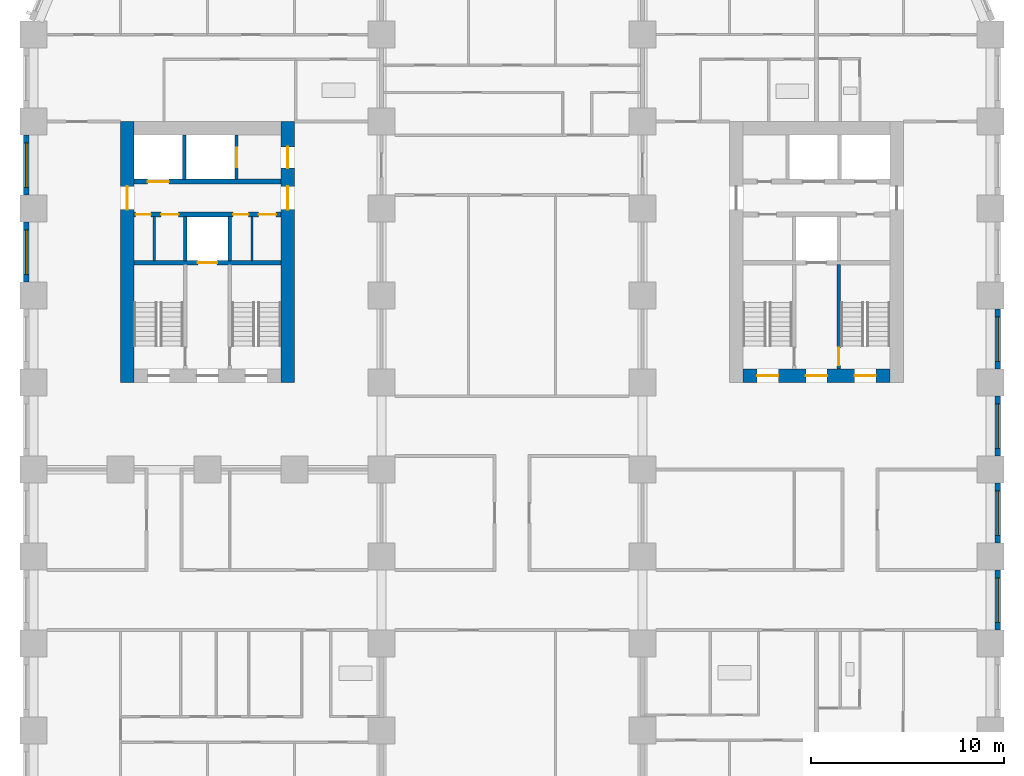
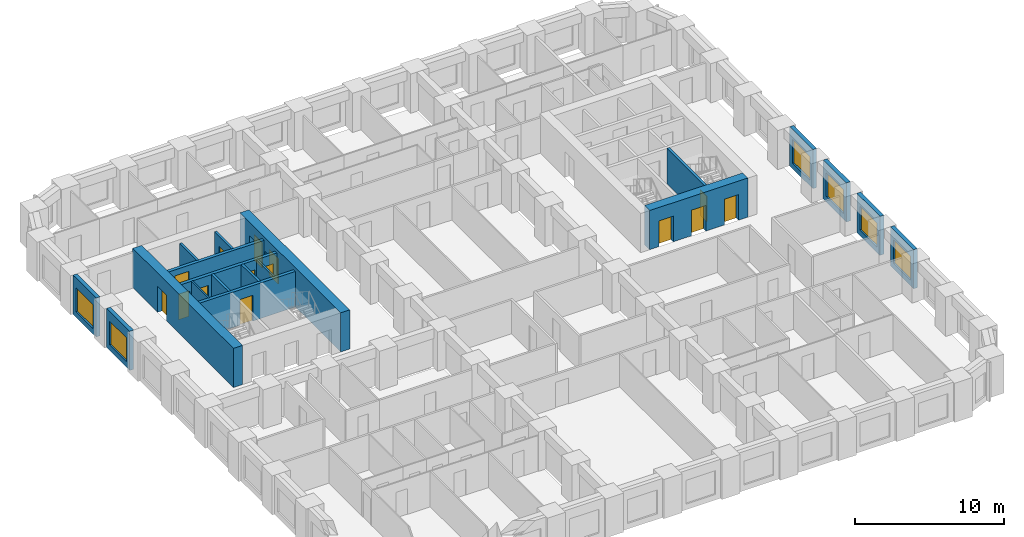
# One storey, part 6 of 13: 19 walls, 14 doors, 6 windows, 20 openings.
"""IFC4 building model written with IfcOpenShell, lengths in metres."""

import ifcopenshell
import ifcopenshell.guid

model = None  # the IFC model being written
_history = None  # IfcOwnerHistory: only IFC2X3 demands one
_inside = {}  # id of a spatial element -> (the spatial element, [elements in it])
_under = {}  # id of a project, library or spatial element -> (it, [spatial elements below it])
_declared = {}  # id of a project -> (the project, [libraries it declares])
_typed = {}  # id of a type object -> (the type object, [elements of that type])
_made_of = {}  # id of a material, layer set ... -> (it, [elements and type objects made of it])


def new_model(schema):
    """Start an empty IFC model of exactly this schema.

    Asked for "IFC4X3", IfcOpenShell would pick the latest addendum, in which some entities
    have other attributes; the version numbers below select the first issue.
    IFC2X3 requires an IfcOwnerHistory on every rooted entity: one is made here for all.
    """
    global model, _history
    if schema == "IFC4X3":
        model = ifcopenshell.file(schema_version=(4, 3, 0, 0))
    else:
        model = ifcopenshell.file(schema=schema)
    _inside.clear()
    _under.clear()
    _declared.clear()
    _typed.clear()
    _made_of.clear()
    _history = None
    if model.schema == "IFC2X3":
        org = make("IfcOrganization", Name="unknown")
        user = make(
            "IfcPersonAndOrganization",
            ThePerson=make("IfcPerson", FamilyName="unknown"),
            TheOrganization=org,
        )
        app = make(
            "IfcApplication",
            ApplicationDeveloper=org,
            Version="unknown",
            ApplicationFullName="unknown",
            ApplicationIdentifier="unknown",
        )
        _history = make(
            "IfcOwnerHistory",
            OwningUser=user,
            OwningApplication=app,
            ChangeAction="ADDED",
            CreationDate=0,
        )
    return model


def make(cls, **values):
    """One entity of the class cls with the attributes given. An attribute that is None is left unset."""
    return model.create_entity(
        cls, **{name: value for name, value in values.items() if value is not None}
    )


def rooted(cls, **values):
    """An entity with a GlobalId (a new one), such as an element, a storey or a relation."""
    return make(cls, GlobalId=ifcopenshell.guid.new(), OwnerHistory=_history, **values)


def si_unit(unit_type, name, prefix=None):
    """IfcSIUnit, for example si_unit("LENGTHUNIT", "METRE", prefix="MILLI")."""
    return make("IfcSIUnit", UnitType=unit_type, Prefix=prefix, Name=name)


def assignment(units):
    """IfcUnitAssignment: the units of a project."""
    return None if units is None else make("IfcUnitAssignment", Units=units)


def point(xyz):
    """IfcCartesianPoint."""
    return None if xyz is None else make("IfcCartesianPoint", Coordinates=xyz)


def direction(xyz):
    """IfcDirection."""
    return None if xyz is None else make("IfcDirection", DirectionRatios=xyz)


def frame(location, z_axis=None, x_axis=None):
    """IfcAxis2Placement3D, a coordinate frame: its origin and axes. An axis left out is left unset."""
    return make(
        "IfcAxis2Placement3D",
        Location=point(location),
        Axis=direction(z_axis),
        RefDirection=direction(x_axis),
    )


def frame_2d(location, x_axis=None):
    """IfcAxis2Placement2D, a coordinate frame in the plane: its origin and x axis."""
    return make(
        "IfcAxis2Placement2D", Location=point(location), RefDirection=direction(x_axis)
    )


def origin():
    """The frame at (0, 0, 0) with its axes left unset."""
    return frame((0.0, 0.0, 0.0))


def place(relative_to, where):
    """IfcLocalPlacement: puts the frame where relative to a parent placement (None: the world)."""
    return make(
        "IfcLocalPlacement", PlacementRelTo=relative_to, RelativePlacement=where
    )


def context(
    kind, dimensions, precision=None, world=None, true_north=None, identifier=None
):
    """IfcGeometricRepresentationContext, for example the 3D "Model" context."""
    return make(
        "IfcGeometricRepresentationContext",
        ContextIdentifier=identifier,
        ContextType=kind,
        CoordinateSpaceDimension=dimensions,
        Precision=precision,
        WorldCoordinateSystem=world,
        TrueNorth=true_north,
    )


def subcontext(parent, identifier, kind, view, scale=None):
    """IfcGeometricRepresentationSubContext, for example "Body" below "Model"."""
    return make(
        "IfcGeometricRepresentationSubContext",
        ContextIdentifier=identifier,
        ContextType=kind,
        ParentContext=parent,
        TargetScale=scale,
        TargetView=view,
    )


def project(units=None, contexts=None):
    """IfcProject with its units and contexts."""
    return rooted(
        "IfcProject",
        Name="project",
        RepresentationContexts=contexts,
        UnitsInContext=assignment(units),
    )


def spatial(cls, under=None, at=None, **own):
    """A site, building, storey or space (cls), placed at a placement, below another one or the project."""
    s = rooted(cls, ObjectPlacement=at, **own)
    if under is not None:
        _under.setdefault(under.id(), (under, []))[1].append(s)
    return s


def profile(cls, at=None, kind="AREA", **sizes):
    """A parametric profile (cls). Its sizes go by their IFC names, for example OverallWidth=200.0."""
    return make(cls, ProfileType=kind, Position=at, **sizes)


def rectangle(**sizes):
    """IfcRectangleProfileDef."""
    return profile("IfcRectangleProfileDef", **sizes)


def extrude(swept, where, along, depth):
    """IfcExtrudedAreaSolid: the profile swept, set in the frame where, extruded along a direction by depth."""
    return make(
        "IfcExtrudedAreaSolid",
        SweptArea=swept,
        Position=where,
        ExtrudedDirection=direction(along),
        Depth=depth,
    )


def shape(context_of_items, identifier, shape_type, items):
    """IfcShapeRepresentation: the items that make up one representation, for example the "Body"."""
    return make(
        "IfcShapeRepresentation",
        ContextOfItems=context_of_items,
        RepresentationIdentifier=identifier,
        RepresentationType=shape_type,
        Items=items,
    )


def material(Name=None, Category=None):
    """IfcMaterial."""
    return make("IfcMaterial", Name=Name, Category=Category)


def layer(
    of_material, thickness, ventilated=None, Name=None, Category=None, Priority=None
):
    """IfcMaterialLayer: one layer of a wall or slab, of a material (None: an air gap)."""
    return make(
        "IfcMaterialLayer",
        Material=of_material,
        LayerThickness=thickness,
        IsVentilated=ventilated,
        Name=Name,
        Category=Category,
        Priority=Priority,
    )


def layer_set(layers, Name=None):
    """IfcMaterialLayerSet."""
    return make("IfcMaterialLayerSet", MaterialLayers=layers, LayerSetName=Name)


def made_of(thing, what):
    """Note that an element or type object is made of a material, layer set ...; save() writes the relation."""
    if what is not None:
        _made_of.setdefault(what.id(), (what, []))[1].append(thing)
    return thing


def type_object(cls, material=None, **own):
    """A type object (cls), such as IfcWallType, which elements share."""
    return made_of(rooted(cls, **own), material)


def element(
    cls,
    number,
    at=None,
    inside=None,
    cuts=None,
    type_object=None,
    material=None,
    context=None,
    identifier="Body",
    shape_type=None,
    held_by="IfcProductDefinitionShape",
    body=None,
    shapes=None,
    **own,
):
    """One element of the class cls, such as IfcWall. Its Tag is "e" and its number.

    at: its placement. inside: the storey or other place that contains it. cuts: it is an
    opening in that element (IfcRelVoidsElement). A single representation is given by context,
    identifier, shape_type and body (its items); several are given by shapes. held_by: the class
    of the entity that holds the representations. save() writes the other relations.
    """
    e = rooted(cls, Tag="e%d" % number, ObjectPlacement=at, **own)
    if body is not None:
        shapes = [shape(context, identifier, shape_type, body)]
    if shapes is not None:
        e.Representation = make(held_by, Representations=shapes)
    if inside is not None:
        _inside.setdefault(inside.id(), (inside, []))[1].append(e)
    if cuts is not None:
        rooted(
            "IfcRelVoidsElement", RelatingBuildingElement=cuts, RelatedOpeningElement=e
        )
    if type_object is not None:
        _typed.setdefault(type_object.id(), (type_object, []))[1].append(e)
    return made_of(e, material)


def fill(opening, filler):
    """IfcRelFillsElement: the door or window that sits in an opening."""
    return rooted(
        "IfcRelFillsElement",
        RelatingOpeningElement=opening,
        RelatedBuildingElement=filler,
    )


def aggregate(whole, parts):
    """IfcRelAggregates: a whole, such as a stair, and the parts it consists of."""
    return rooted("IfcRelAggregates", RelatingObject=whole, RelatedObjects=parts)


def save(model, path):
    """Write the relations noted so far, then the file.

    IfcRelAggregates (storeys below a building ...), IfcRelContainedInSpatialStructure (elements
    in a storey), IfcRelDefinesByType, IfcRelAssociatesMaterial and IfcRelDeclares: one each for
    every whole, place, type object, material and project.
    """
    for whole, parts in _under.values():
        aggregate(whole, parts)
    for where, things in _inside.values():
        rooted(
            "IfcRelContainedInSpatialStructure",
            RelatedElements=things,
            RelatingStructure=where,
        )
    for kind, things in _typed.values():
        rooted("IfcRelDefinesByType", RelatedObjects=things, RelatingType=kind)
    for what, things in _made_of.values():
        rooted("IfcRelAssociatesMaterial", RelatedObjects=things, RelatingMaterial=what)
    for by, libraries in _declared.values():
        rooted("IfcRelDeclares", RelatingContext=by, RelatedDefinitions=libraries)
    model.write(path)


model = new_model("IFC4")

# Units and contexts
model_context = context("Model", 3, precision=1e-05, world=origin(), true_north=direction((0.0, 1.0)))
body_context = subcontext(model_context, "Body", "Model", "MODEL_VIEW")
ifc_project = project(units=[si_unit("LENGTHUNIT", "METRE"), si_unit("AREAUNIT", "SQUARE_METRE"), si_unit("VOLUMEUNIT", "CUBIC_METRE"), si_unit("PLANEANGLEUNIT", "RADIAN"), si_unit("MASSUNIT", "GRAM", prefix="KILO")], contexts=[model_context])

# Site, building, storey
site_placement = place(None, origin())
site = spatial("IfcSite", under=ifc_project, at=site_placement, CompositionType="ELEMENT")
building_placement = place(site_placement, origin())
building = spatial("IfcBuilding", under=site, at=building_placement, Name="Girih Gate Residences", CompositionType="ELEMENT")
storey_placement = place(building_placement, frame((0.0, 0.0, 46.39990234375)))
storey = spatial("IfcBuildingStorey", under=building, at=storey_placement, Name="L11", CompositionType="ELEMENT", Elevation=46.39990234375)

# Wall, opening, door
ifc_material_1 = material(Name="Concrete C60/75", Category="concrete")
ifc_layer_1 = layer(ifc_material_1, 0.699951171875)
ifc_layer_set_1 = layer_set([ifc_layer_1], Name="Core wall RC 700 Concrete C60/75")
wall_type_1 = type_object("IfcWallType", Name="Core wall RC 700 Concrete C60/75", PredefinedType="SOLIDWALL", material=ifc_layer_set_1)
wall_1_placement = place(storey_placement, frame((4.85009765625, 27.0, 0.0), z_axis=(0.0, 0.0, 1.0), x_axis=(0.0, 1.0, 0.0)))
wall_1 = element("IfcWall", 1, at=wall_1_placement, inside=storey, type_object=wall_type_1, Name="Core wall W-W L11", PredefinedType="SOLIDWALL", context=body_context, shape_type="SweptSolid", body=[
    extrude(rectangle(XDim=13.5, YDim=0.699951171875, at=frame_2d((6.75, 0.0))), origin(), (0.0, 0.0, 1.0), 3.2001953125),
])
opening_1_placement = place(wall_1_placement, frame((8.949951171875, 0.0, 0.0)))
opening_1 = element("IfcOpeningElement", 2, at=opening_1_placement, cuts=wall_1, Name="Opening D-L11-W-014", PredefinedType="OPENING", context=body_context, shape_type="SweptSolid", body=[
    extrude(rectangle(XDim=1.199951171875, YDim=2.10009765625, at=frame_2d((0.60009765625, 1.050048828125))), frame((0.0, 0.35986328125, 0.0), z_axis=(0.0, -1.0, 0.0), x_axis=(1.0, 0.0, 0.0)), (0.0, 0.0, 1.0), 0.719970703125),
])
ifc_material_2 = material(Name="Painted steel, fire-resisting", Category="steel")
door_type_1 = type_object("IfcDoorType", Name="Fire door 1200x2100", OperationType="SINGLE_SWING_LEFT", PredefinedType="DOOR", material=ifc_material_2)
door_1_placement = place(opening_1_placement, origin())
door_1 = element("IfcDoor", 3, at=door_1_placement, inside=storey, type_object=door_type_1, Name="L11 W core door ll-w", OperationType="SINGLE_SWING_LEFT", OverallHeight=2.10009765625, OverallWidth=1.199951171875, PredefinedType="DOOR", context=body_context, shape_type="SweptSolid", body=[
    extrude(rectangle(XDim=1.199951171875, YDim=2.10009765625, at=frame_2d((0.60009765625, 1.050048828125))), frame((0.0, 0.02490234375, 0.0), z_axis=(0.0, -1.0, 0.0), x_axis=(1.0, 0.0, 0.0)), (0.0, 0.0, 1.0), 0.050048828125),
])
fill(opening_1, door_1)

# Wall, openings, doors
wall_2_placement = place(storey_placement, frame((13.14990234375, 27.0, 0.0), z_axis=(0.0, 0.0, 1.0), x_axis=(0.0, 1.0, 0.0)))
wall_2 = element("IfcWall", 4, at=wall_2_placement, inside=storey, type_object=wall_type_1, Name="Core wall W-E L11", PredefinedType="SOLIDWALL", context=body_context, shape_type="SweptSolid", body=[
    extrude(rectangle(XDim=13.5, YDim=0.699951171875, at=frame_2d((6.75, 0.0))), origin(), (0.0, 0.0, 1.0), 3.2001953125),
])
opening_2_placement = place(wall_2_placement, frame((11.10009765625, 0.0, 0.0)))
opening_2 = element("IfcOpeningElement", 5, at=opening_2_placement, cuts=wall_2, Name="Opening D-L11-W-013", PredefinedType="OPENING", context=body_context, shape_type="SweptSolid", body=[
    extrude(rectangle(XDim=1.10009765625, YDim=2.10009765625, at=frame_2d((0.550048828125, 1.050048828125))), frame((0.0, 0.35986328125, 0.0), z_axis=(0.0, -1.0, 0.0), x_axis=(1.0, 0.0, 0.0)), (0.0, 0.0, 1.0), 0.719970703125),
])
opening_3_placement = place(wall_2_placement, frame((8.949951171875, 0.0, 0.0)))
opening_3 = element("IfcOpeningElement", 6, at=opening_3_placement, cuts=wall_2, Name="Opening D-L11-W-015", PredefinedType="OPENING", context=body_context, shape_type="SweptSolid", body=[
    extrude(rectangle(XDim=1.199951171875, YDim=2.10009765625, at=frame_2d((0.60009765625, 1.050048828125))), frame((0.0, 0.35986328125, 0.0), z_axis=(0.0, -1.0, 0.0), x_axis=(1.0, 0.0, 0.0)), (0.0, 0.0, 1.0), 0.719970703125),
])
door_type_2 = type_object("IfcDoorType", Name="Fire door 1100x2100", OperationType="SINGLE_SWING_LEFT", PredefinedType="DOOR", material=ifc_material_2)
door_2_placement = place(opening_2_placement, origin())
door_2 = element("IfcDoor", 7, at=door_2_placement, inside=storey, type_object=door_type_2, Name="L11 W core door ffl2-e", OperationType="SINGLE_SWING_LEFT", OverallHeight=2.10009765625, OverallWidth=1.10009765625, PredefinedType="DOOR", context=body_context, shape_type="SweptSolid", body=[
    extrude(rectangle(XDim=1.10009765625, YDim=2.10009765625, at=frame_2d((0.550048828125, 1.050048828125))), frame((0.0, 0.02490234375, 0.0), z_axis=(0.0, -1.0, 0.0), x_axis=(1.0, 0.0, 0.0)), (0.0, 0.0, 1.0), 0.050048828125),
])
fill(opening_2, door_2)
door_3_placement = place(opening_3_placement, origin())
door_3 = element("IfcDoor", 8, at=door_3_placement, inside=storey, type_object=door_type_1, Name="L11 W core door ll-e", OperationType="SINGLE_SWING_LEFT", OverallHeight=2.10009765625, OverallWidth=1.199951171875, PredefinedType="DOOR", context=body_context, shape_type="SweptSolid", body=[
    extrude(rectangle(XDim=1.199951171875, YDim=2.10009765625, at=frame_2d((0.60009765625, 1.050048828125))), frame((0.0, 0.02490234375, 0.0), z_axis=(0.0, -1.0, 0.0), x_axis=(1.0, 0.0, 0.0)), (0.0, 0.0, 1.0), 0.050048828125),
])
fill(opening_3, door_3)

wall_3_placement = place(storey_placement, frame((36.699951171875, 27.35009765625, 0.0), z_axis=(0.0, 0.0, 1.0), x_axis=(1.0, 0.0, 0.0)))
wall_3 = element("IfcWall", 9, at=wall_3_placement, inside=storey, type_object=wall_type_1, Name="Core wall E-S L11", PredefinedType="SOLIDWALL", context=body_context, shape_type="SweptSolid", body=[
    extrude(rectangle(XDim=7.60009765625, YDim=0.699951171875, at=frame_2d((3.800048828125, 0.0))), origin(), (0.0, 0.0, 1.0), 3.2001953125),
])
opening_4_placement = place(wall_3_placement, frame((5.77490234375, 0.0, 0.0)))
opening_4 = element("IfcOpeningElement", 10, at=opening_4_placement, cuts=wall_3, Name="Opening D-L11-E-009", PredefinedType="OPENING", context=body_context, shape_type="SweptSolid", body=[
    extrude(rectangle(XDim=1.10009765625, YDim=2.10009765625, at=frame_2d((0.550048828125, 1.050048828125))), frame((0.0, 0.35986328125, 0.0), z_axis=(0.0, -1.0, 0.0), x_axis=(1.0, 0.0, 0.0)), (0.0, 0.0, 1.0), 0.719970703125),
])
opening_5_placement = place(wall_3_placement, frame((3.25, 0.0, 0.0)))
opening_5 = element("IfcOpeningElement", 11, at=opening_5_placement, cuts=wall_3, Name="Opening D-L11-E-010", PredefinedType="OPENING", context=body_context, shape_type="SweptSolid", body=[
    extrude(rectangle(XDim=1.10009765625, YDim=2.10009765625, at=frame_2d((0.550048828125, 1.050048828125))), frame((0.0, 0.35986328125, 0.0), z_axis=(0.0, -1.0, 0.0), x_axis=(1.0, 0.0, 0.0)), (0.0, 0.0, 1.0), 0.719970703125),
])
opening_6_placement = place(wall_3_placement, frame((0.72509765625, 0.0, 0.0)))
opening_6 = element("IfcOpeningElement", 12, at=opening_6_placement, cuts=wall_3, Name="Opening D-L11-E-011", PredefinedType="OPENING", context=body_context, shape_type="SweptSolid", body=[
    extrude(rectangle(XDim=1.10009765625, YDim=2.10009765625, at=frame_2d((0.550048828125, 1.050048828125))), frame((0.0, 0.35986328125, 0.0), z_axis=(0.0, -1.0, 0.0), x_axis=(1.0, 0.0, 0.0)), (0.0, 0.0, 1.0), 0.719970703125),
])
door_4_placement = place(opening_4_placement, origin())
door_4 = element("IfcDoor", 13, at=door_4_placement, inside=storey, type_object=door_type_2, Name="L11 E core door sta-out", OperationType="SINGLE_SWING_LEFT", OverallHeight=2.10009765625, OverallWidth=1.10009765625, PredefinedType="DOOR", context=body_context, shape_type="SweptSolid", body=[
    extrude(rectangle(XDim=1.10009765625, YDim=2.10009765625, at=frame_2d((0.550048828125, 1.050048828125))), frame((0.0, 0.02490234375, 0.0), z_axis=(0.0, -1.0, 0.0), x_axis=(1.0, 0.0, 0.0)), (0.0, 0.0, 1.0), 0.050048828125),
])
fill(opening_4, door_4)
door_5_placement = place(opening_5_placement, origin())
door_5 = element("IfcDoor", 14, at=door_5_placement, inside=storey, type_object=door_type_2, Name="L11 E core door ffl-out", OperationType="SINGLE_SWING_LEFT", OverallHeight=2.10009765625, OverallWidth=1.10009765625, PredefinedType="DOOR", context=body_context, shape_type="SweptSolid", body=[
    extrude(rectangle(XDim=1.10009765625, YDim=2.10009765625, at=frame_2d((0.550048828125, 1.050048828125))), frame((0.0, 0.02490234375, 0.0), z_axis=(0.0, -1.0, 0.0), x_axis=(1.0, 0.0, 0.0)), (0.0, 0.0, 1.0), 0.050048828125),
])
fill(opening_5, door_5)
door_6_placement = place(opening_6_placement, origin())
door_6 = element("IfcDoor", 15, at=door_6_placement, inside=storey, type_object=door_type_2, Name="L11 E core door stb-out", OperationType="SINGLE_SWING_LEFT", OverallHeight=2.10009765625, OverallWidth=1.10009765625, PredefinedType="DOOR", context=body_context, shape_type="SweptSolid", body=[
    extrude(rectangle(XDim=1.10009765625, YDim=2.10009765625, at=frame_2d((0.550048828125, 1.050048828125))), frame((0.0, 0.02490234375, 0.0), z_axis=(0.0, -1.0, 0.0), x_axis=(1.0, 0.0, 0.0)), (0.0, 0.0, 1.0), 0.050048828125),
])
fill(opening_6, door_6)

# Wall, opening, door
ifc_material_3 = material(Name="Concrete C40/50", Category="concrete")
ifc_layer_2 = layer(ifc_material_3, 0.25)
ifc_layer_set_2 = layer_set([ifc_layer_2], Name="Lift shaft wall 250")
wall_type_2 = type_object("IfcWallType", Name="Lift shaft wall 250", PredefinedType="SOLIDWALL", material=ifc_layer_set_2)
wall_4_placement = place(storey_placement, frame((5.199951171875, 33.199951171875, 0.0), z_axis=(0.0, 0.0, 1.0), x_axis=(1.0, 0.0, 0.0)))
wall_4 = element("IfcWall", 16, at=wall_4_placement, inside=storey, type_object=wall_type_2, Name="L11 W core wall H1", PredefinedType="SOLIDWALL", context=body_context, shape_type="SweptSolid", body=[
    extrude(rectangle(XDim=7.60009765625, YDim=0.25, at=frame_2d((3.800048828125, 0.0))), origin(), (0.0, 0.0, 1.0), 2.900146484375),
])
opening_7_placement = place(wall_4_placement, frame((3.300048828125, 0.0, 0.0)))
opening_7 = element("IfcOpeningElement", 17, at=opening_7_placement, cuts=wall_4, Name="Opening D-L11-W-005", PredefinedType="OPENING", context=body_context, shape_type="SweptSolid", body=[
    extrude(rectangle(XDim=1.0, YDim=2.10009765625, at=frame_2d((0.5, 1.050048828125))), frame((0.0, 0.135009765625, 0.0), z_axis=(0.0, -1.0, 0.0), x_axis=(1.0, 0.0, 0.0)), (0.0, 0.0, 1.0), 0.27001953125),
])
ifc_material_4 = material(Name="Stainless steel, fire-resisting", Category="steel")
door_type_3 = type_object("IfcDoorType", Name="Firefighting lift landing door 1000x2100", OperationType="SLIDING_TO_LEFT", PredefinedType="DOOR", material=ifc_material_4)
door_7_placement = place(opening_7_placement, origin())
door_7 = element("IfcDoor", 18, at=door_7_placement, inside=storey, type_object=door_type_3, Name="L11 lift FF-W landing door", OperationType="SLIDING_TO_LEFT", OverallHeight=2.10009765625, OverallWidth=1.0, PredefinedType="DOOR", context=body_context, shape_type="SweptSolid", body=[
    extrude(rectangle(XDim=1.0, YDim=2.10009765625, at=frame_2d((0.5, 1.050048828125))), frame((0.0, 0.02490234375, 0.0), z_axis=(0.0, -1.0, 0.0), x_axis=(1.0, 0.0, 0.0)), (0.0, 0.0, 1.0), 0.050048828125),
])
fill(opening_7, door_7)

# Wall, openings, doors
wall_5_placement = place(storey_placement, frame((5.199951171875, 35.699951171875, 0.0), z_axis=(0.0, 0.0, 1.0), x_axis=(1.0, 0.0, 0.0)))
wall_5 = element("IfcWall", 19, at=wall_5_placement, inside=storey, type_object=wall_type_2, Name="L11 W core wall H2", PredefinedType="SOLIDWALL", context=body_context, shape_type="SweptSolid", body=[
    extrude(rectangle(XDim=7.60009765625, YDim=0.25, at=frame_2d((3.800048828125, 0.0))), origin(), (0.0, 0.0, 1.0), 2.900146484375),
])
opening_8_placement = place(wall_5_placement, frame((0.074951171875, 0.0, 0.0)))
opening_8 = element("IfcOpeningElement", 20, at=opening_8_placement, cuts=wall_5, Name="Opening D-L11-W-006", PredefinedType="OPENING", context=body_context, shape_type="SweptSolid", body=[
    extrude(rectangle(XDim=0.800048828125, YDim=2.10009765625, at=frame_2d((0.39990234375, 1.050048828125))), frame((0.0, 0.135009765625, 0.0), z_axis=(0.0, -1.0, 0.0), x_axis=(1.0, 0.0, 0.0)), (0.0, 0.0, 1.0), 0.27001953125),
])
opening_9_placement = place(wall_5_placement, frame((1.39990234375, 0.0, 0.0)))
opening_9 = element("IfcOpeningElement", 21, at=opening_9_placement, cuts=wall_5, Name="Opening D-L11-W-007", PredefinedType="OPENING", context=body_context, shape_type="SweptSolid", body=[
    extrude(rectangle(XDim=0.89990234375, YDim=2.10009765625, at=frame_2d((0.449951171875, 1.050048828125))), frame((0.0, 0.135009765625, 0.0), z_axis=(0.0, -1.0, 0.0), x_axis=(1.0, 0.0, 0.0)), (0.0, 0.0, 1.0), 0.27001953125),
])
opening_10_placement = place(wall_5_placement, frame((5.125, 0.0, 0.0)))
opening_10 = element("IfcOpeningElement", 22, at=opening_10_placement, cuts=wall_5, Name="Opening D-L11-W-008", PredefinedType="OPENING", context=body_context, shape_type="SweptSolid", body=[
    extrude(rectangle(XDim=0.800048828125, YDim=2.10009765625, at=frame_2d((0.39990234375, 1.050048828125))), frame((0.0, 0.135009765625, 0.0), z_axis=(0.0, -1.0, 0.0), x_axis=(1.0, 0.0, 0.0)), (0.0, 0.0, 1.0), 0.27001953125),
])
opening_11_placement = place(wall_5_placement, frame((6.449951171875, 0.0, 0.0)))
opening_11 = element("IfcOpeningElement", 23, at=opening_11_placement, cuts=wall_5, Name="Opening D-L11-W-009", PredefinedType="OPENING", context=body_context, shape_type="SweptSolid", body=[
    extrude(rectangle(XDim=0.89990234375, YDim=2.10009765625, at=frame_2d((0.449951171875, 1.050048828125))), frame((0.0, 0.135009765625, 0.0), z_axis=(0.0, -1.0, 0.0), x_axis=(1.0, 0.0, 0.0)), (0.0, 0.0, 1.0), 0.27001953125),
])
door_type_4 = type_object("IfcDoorType", Name="Fire door 800x2100", OperationType="SINGLE_SWING_LEFT", PredefinedType="DOOR", material=ifc_material_2)
door_8_placement = place(opening_8_placement, origin())
door_8 = element("IfcDoor", 24, at=door_8_placement, inside=storey, type_object=door_type_4, Name="L11 W store door", OperationType="SINGLE_SWING_LEFT", OverallHeight=2.10009765625, OverallWidth=0.800048828125, PredefinedType="DOOR", context=body_context, shape_type="SweptSolid", body=[
    extrude(rectangle(XDim=0.800048828125, YDim=2.10009765625, at=frame_2d((0.39990234375, 1.050048828125))), frame((0.0, 0.02490234375, 0.0), z_axis=(0.0, -1.0, 0.0), x_axis=(1.0, 0.0, 0.0)), (0.0, 0.0, 1.0), 0.050048828125),
])
fill(opening_8, door_8)
door_9_placement = place(opening_10_placement, origin())
door_9 = element("IfcDoor", 25, at=door_9_placement, inside=storey, type_object=door_type_4, Name="L11 W refuse store door", OperationType="SINGLE_SWING_LEFT", OverallHeight=2.10009765625, OverallWidth=0.800048828125, PredefinedType="DOOR", context=body_context, shape_type="SweptSolid", body=[
    extrude(rectangle(XDim=0.800048828125, YDim=2.10009765625, at=frame_2d((0.39990234375, 1.050048828125))), frame((0.0, 0.02490234375, 0.0), z_axis=(0.0, -1.0, 0.0), x_axis=(1.0, 0.0, 0.0)), (0.0, 0.0, 1.0), 0.050048828125),
])
fill(opening_10, door_9)
door_type_5 = type_object("IfcDoorType", Name="Fire door 900x2100", OperationType="SINGLE_SWING_LEFT", PredefinedType="DOOR", material=ifc_material_2)
door_10_placement = place(opening_9_placement, origin())
door_10 = element("IfcDoor", 26, at=door_10_placement, inside=storey, type_object=door_type_5, Name="L11 W comms room door", OperationType="SINGLE_SWING_LEFT", OverallHeight=2.10009765625, OverallWidth=0.89990234375, PredefinedType="DOOR", context=body_context, shape_type="SweptSolid", body=[
    extrude(rectangle(XDim=0.89990234375, YDim=2.10009765625, at=frame_2d((0.449951171875, 1.050048828125))), frame((0.0, 0.02490234375, 0.0), z_axis=(0.0, -1.0, 0.0), x_axis=(1.0, 0.0, 0.0)), (0.0, 0.0, 1.0), 0.050048828125),
])
fill(opening_9, door_10)
door_11_placement = place(opening_11_placement, origin())
door_11 = element("IfcDoor", 27, at=door_11_placement, inside=storey, type_object=door_type_5, Name="L11 W cleaners store door", OperationType="SINGLE_SWING_LEFT", OverallHeight=2.10009765625, OverallWidth=0.89990234375, PredefinedType="DOOR", context=body_context, shape_type="SweptSolid", body=[
    extrude(rectangle(XDim=0.89990234375, YDim=2.10009765625, at=frame_2d((0.449951171875, 1.050048828125))), frame((0.0, 0.02490234375, 0.0), z_axis=(0.0, -1.0, 0.0), x_axis=(1.0, 0.0, 0.0)), (0.0, 0.0, 1.0), 0.050048828125),
])
fill(opening_11, door_11)

# Wall, opening, door
wall_6_placement = place(storey_placement, frame((5.199951171875, 37.39990234375, 0.0), z_axis=(0.0, 0.0, 1.0), x_axis=(1.0, 0.0, 0.0)))
wall_6 = element("IfcWall", 28, at=wall_6_placement, inside=storey, type_object=wall_type_2, Name="L11 W core wall H3", PredefinedType="SOLIDWALL", context=body_context, shape_type="SweptSolid", body=[
    extrude(rectangle(XDim=7.60009765625, YDim=0.25, at=frame_2d((3.800048828125, 0.0))), origin(), (0.0, 0.0, 1.0), 2.900146484375),
])
opening_12_placement = place(wall_6_placement, frame((0.699951171875, 0.0, 0.0)))
opening_12 = element("IfcOpeningElement", 29, at=opening_12_placement, cuts=wall_6, Name="Opening D-L11-W-003", PredefinedType="OPENING", context=body_context, shape_type="SweptSolid", body=[
    extrude(rectangle(XDim=1.10009765625, YDim=2.39990234375, at=frame_2d((0.550048828125, 1.199951171875))), frame((0.0, 0.135009765625, 0.0), z_axis=(0.0, -1.0, 0.0), x_axis=(1.0, 0.0, 0.0)), (0.0, 0.0, 1.0), 0.27001953125),
])
ifc_material_5 = material(Name="Stainless steel", Category="steel")
door_type_6 = type_object("IfcDoorType", Name="Lift landing door 1100x2400", OperationType="SLIDING_TO_LEFT", PredefinedType="DOOR", material=ifc_material_5)
door_12_placement = place(opening_12_placement, origin())
door_12 = element("IfcDoor", 30, at=door_12_placement, inside=storey, type_object=door_type_6, Name="L11 lift LR-W1 landing door", OperationType="SLIDING_TO_LEFT", OverallHeight=2.39990234375, OverallWidth=1.10009765625, PredefinedType="DOOR", context=body_context, shape_type="SweptSolid", body=[
    extrude(rectangle(XDim=1.10009765625, YDim=2.39990234375, at=frame_2d((0.550048828125, 1.199951171875))), frame((0.0, 0.02490234375, 0.0), z_axis=(0.0, -1.0, 0.0), x_axis=(1.0, 0.0, 0.0)), (0.0, 0.0, 1.0), 0.050048828125),
])
fill(opening_12, door_12)

# Wall, opening, window
ifc_material_6 = material(Name="Precast concrete C50/60", Category="concrete")
ifc_layer_3 = layer(ifc_material_6, 0.080078125, Name="Outer leaf")
ifc_material_7 = material(Name="Rigid PIR insulation")
ifc_layer_4 = layer(ifc_material_7, 0.14990234375, Name="Insulation")
ifc_material_8 = material(Name="Precast concrete C40/50", Category="concrete")
ifc_layer_5 = layer(ifc_material_8, 0.070068359375, Name="Inner leaf")
ifc_layer_set_3 = layer_set([ifc_layer_3, ifc_layer_4, ifc_layer_5], Name="Precast concrete C50/60 external wall 300")
wall_type_3 = type_object("IfcWallType", Name="Precast concrete C50/60 external wall 300", PredefinedType="SOLIDWALL", material=ifc_layer_set_3)
wall_7_placement = place(storey_placement, frame((49.875, 17.300048828125, 0.0), z_axis=(0.0, 0.0, 1.0), x_axis=(0.0, -1.0, 0.0)))
wall_7 = element("IfcWall", 31, at=wall_7_placement, inside=storey, type_object=wall_type_3, Name="External wall E0495_0045.2", PredefinedType="SOLIDWALL", context=body_context, shape_type="SweptSolid", body=[
    extrude(rectangle(XDim=3.10009765625, YDim=0.300048828125, at=frame_2d((1.550048828125, 0.0))), origin(), (0.0, 0.0, 1.0), 3.2001953125),
])
opening_13_placement = place(wall_7_placement, frame((0.39990234375, 0.0, 0.449951171875)))
opening_13 = element("IfcOpeningElement", 32, at=opening_13_placement, cuts=wall_7, Name="Opening W-1", PredefinedType="OPENING", context=body_context, shape_type="SweptSolid", body=[
    extrude(rectangle(XDim=2.300048828125, YDim=1.949951171875, at=frame_2d((1.14990234375, 0.97509765625))), frame((0.0, 0.159912109375, 0.0), z_axis=(0.0, -1.0, 0.0), x_axis=(1.0, 0.0, 0.0)), (0.0, 0.0, 1.0), 0.320068359375),
])
ifc_material_9 = material(Name="Double glazing in aluminium frame", Category="aluminium")
window_type = type_object("IfcWindowType", Name="Window W-1 2300x1950", PartitioningType="SINGLE_PANEL", PredefinedType="WINDOW", material=ifc_material_9)
window_1_placement = place(opening_13_placement, origin())
window_1 = element("IfcWindow", 33, at=window_1_placement, inside=storey, type_object=window_type, Name="Window W-1 E0495_0045.2", OverallHeight=1.949951171875, OverallWidth=2.300048828125, PartitioningType="SINGLE_PANEL", PredefinedType="WINDOW", context=body_context, shape_type="SweptSolid", body=[
    extrude(rectangle(XDim=2.300048828125, YDim=1.949951171875, at=frame_2d((1.14990234375, 0.97509765625))), frame((0.0, 0.030029296875, 0.0), z_axis=(0.0, -1.0, 0.0), x_axis=(1.0, 0.0, 0.0)), (0.0, 0.0, 1.0), 0.06005859375),
])
fill(opening_13, window_1)

wall_8_placement = place(storey_placement, frame((49.875, 21.800048828125, 0.0), z_axis=(0.0, 0.0, 1.0), x_axis=(0.0, -1.0, 0.0)))
wall_8 = element("IfcWall", 34, at=wall_8_placement, inside=storey, type_object=wall_type_3, Name="External wall E0495_0045.3", PredefinedType="SOLIDWALL", context=body_context, shape_type="SweptSolid", body=[
    extrude(rectangle(XDim=3.10009765625, YDim=0.300048828125, at=frame_2d((1.550048828125, 0.0))), origin(), (0.0, 0.0, 1.0), 3.2001953125),
])
opening_14_placement = place(wall_8_placement, frame((0.39990234375, 0.0, 0.449951171875)))
opening_14 = element("IfcOpeningElement", 35, at=opening_14_placement, cuts=wall_8, Name="Opening W-1", PredefinedType="OPENING", context=body_context, shape_type="SweptSolid", body=[
    extrude(rectangle(XDim=2.300048828125, YDim=1.949951171875, at=frame_2d((1.14990234375, 0.97509765625))), frame((0.0, 0.159912109375, 0.0), z_axis=(0.0, -1.0, 0.0), x_axis=(1.0, 0.0, 0.0)), (0.0, 0.0, 1.0), 0.320068359375),
])
window_2_placement = place(opening_14_placement, origin())
window_2 = element("IfcWindow", 36, at=window_2_placement, inside=storey, type_object=window_type, Name="Window W-1 E0495_0045.3", OverallHeight=1.949951171875, OverallWidth=2.300048828125, PartitioningType="SINGLE_PANEL", PredefinedType="WINDOW", context=body_context, shape_type="SweptSolid", body=[
    extrude(rectangle(XDim=2.300048828125, YDim=1.949951171875, at=frame_2d((1.14990234375, 0.97509765625))), frame((0.0, 0.030029296875, 0.0), z_axis=(0.0, -1.0, 0.0), x_axis=(1.0, 0.0, 0.0)), (0.0, 0.0, 1.0), 0.06005859375),
])
fill(opening_14, window_2)

wall_9_placement = place(storey_placement, frame((49.875, 26.300048828125, 0.0), z_axis=(0.0, 0.0, 1.0), x_axis=(0.0, -1.0, 0.0)))
wall_9 = element("IfcWall", 37, at=wall_9_placement, inside=storey, type_object=wall_type_3, Name="External wall E0495_0045.4", PredefinedType="SOLIDWALL", context=body_context, shape_type="SweptSolid", body=[
    extrude(rectangle(XDim=3.10009765625, YDim=0.300048828125, at=frame_2d((1.550048828125, 0.0))), origin(), (0.0, 0.0, 1.0), 3.2001953125),
])
opening_15_placement = place(wall_9_placement, frame((0.39990234375, 0.0, 0.449951171875)))
opening_15 = element("IfcOpeningElement", 38, at=opening_15_placement, cuts=wall_9, Name="Opening W-1", PredefinedType="OPENING", context=body_context, shape_type="SweptSolid", body=[
    extrude(rectangle(XDim=2.300048828125, YDim=1.949951171875, at=frame_2d((1.14990234375, 0.97509765625))), frame((0.0, 0.159912109375, 0.0), z_axis=(0.0, -1.0, 0.0), x_axis=(1.0, 0.0, 0.0)), (0.0, 0.0, 1.0), 0.320068359375),
])
window_3_placement = place(opening_15_placement, origin())
window_3 = element("IfcWindow", 39, at=window_3_placement, inside=storey, type_object=window_type, Name="Window W-1 E0495_0045.4", OverallHeight=1.949951171875, OverallWidth=2.300048828125, PartitioningType="SINGLE_PANEL", PredefinedType="WINDOW", context=body_context, shape_type="SweptSolid", body=[
    extrude(rectangle(XDim=2.300048828125, YDim=1.949951171875, at=frame_2d((1.14990234375, 0.97509765625))), frame((0.0, 0.030029296875, 0.0), z_axis=(0.0, -1.0, 0.0), x_axis=(1.0, 0.0, 0.0)), (0.0, 0.0, 1.0), 0.06005859375),
])
fill(opening_15, window_3)

wall_10_placement = place(storey_placement, frame((49.875, 30.800048828125, 0.0), z_axis=(0.0, 0.0, 1.0), x_axis=(0.0, -1.0, 0.0)))
wall_10 = element("IfcWall", 40, at=wall_10_placement, inside=storey, type_object=wall_type_3, Name="External wall E0495_0045.5", PredefinedType="SOLIDWALL", context=body_context, shape_type="SweptSolid", body=[
    extrude(rectangle(XDim=3.10009765625, YDim=0.300048828125, at=frame_2d((1.550048828125, 0.0))), origin(), (0.0, 0.0, 1.0), 3.2001953125),
])
opening_16_placement = place(wall_10_placement, frame((0.39990234375, 0.0, 0.449951171875)))
opening_16 = element("IfcOpeningElement", 41, at=opening_16_placement, cuts=wall_10, Name="Opening W-1", PredefinedType="OPENING", context=body_context, shape_type="SweptSolid", body=[
    extrude(rectangle(XDim=2.300048828125, YDim=1.949951171875, at=frame_2d((1.14990234375, 0.97509765625))), frame((0.0, 0.159912109375, 0.0), z_axis=(0.0, -1.0, 0.0), x_axis=(1.0, 0.0, 0.0)), (0.0, 0.0, 1.0), 0.320068359375),
])
window_4_placement = place(opening_16_placement, origin())
window_4 = element("IfcWindow", 42, at=window_4_placement, inside=storey, type_object=window_type, Name="Window W-1 E0495_0045.5", OverallHeight=1.949951171875, OverallWidth=2.300048828125, PartitioningType="SINGLE_PANEL", PredefinedType="WINDOW", context=body_context, shape_type="SweptSolid", body=[
    extrude(rectangle(XDim=2.300048828125, YDim=1.949951171875, at=frame_2d((1.14990234375, 0.97509765625))), frame((0.0, 0.030029296875, 0.0), z_axis=(0.0, -1.0, 0.0), x_axis=(1.0, 0.0, 0.0)), (0.0, 0.0, 1.0), 0.06005859375),
])
fill(opening_16, window_4)

wall_11_placement = place(storey_placement, frame((-0.375, 36.699951171875, 0.0), z_axis=(0.0, 0.0, 1.0), x_axis=(0.0, 1.0, 0.0)))
wall_11 = element("IfcWall", 43, at=wall_11_placement, inside=storey, type_object=wall_type_3, Name="External wall W0000_0450.1", PredefinedType="SOLIDWALL", context=body_context, shape_type="SweptSolid", body=[
    extrude(rectangle(XDim=3.10009765625, YDim=0.300048828125, at=frame_2d((1.550048828125, 0.0))), origin(), (0.0, 0.0, 1.0), 3.2001953125),
])
opening_17_placement = place(wall_11_placement, frame((0.39990234375, 0.0, 0.449951171875)))
opening_17 = element("IfcOpeningElement", 44, at=opening_17_placement, cuts=wall_11, Name="Opening W-1", PredefinedType="OPENING", context=body_context, shape_type="SweptSolid", body=[
    extrude(rectangle(XDim=2.300048828125, YDim=1.949951171875, at=frame_2d((1.14990234375, 0.97509765625))), frame((0.0, 0.159912109375, 0.0), z_axis=(0.0, -1.0, 0.0), x_axis=(1.0, 0.0, 0.0)), (0.0, 0.0, 1.0), 0.320068359375),
])
window_5_placement = place(opening_17_placement, origin())
window_5 = element("IfcWindow", 45, at=window_5_placement, inside=storey, type_object=window_type, Name="Window W-1 W0000_0450.1", OverallHeight=1.949951171875, OverallWidth=2.300048828125, PartitioningType="SINGLE_PANEL", PredefinedType="WINDOW", context=body_context, shape_type="SweptSolid", body=[
    extrude(rectangle(XDim=2.300048828125, YDim=1.949951171875, at=frame_2d((1.14990234375, 0.97509765625))), frame((0.0, 0.030029296875, 0.0), z_axis=(0.0, -1.0, 0.0), x_axis=(1.0, 0.0, 0.0)), (0.0, 0.0, 1.0), 0.06005859375),
])
fill(opening_17, window_5)

wall_12_placement = place(storey_placement, frame((-0.375, 32.199951171875, 0.0), z_axis=(0.0, 0.0, 1.0), x_axis=(0.0, 1.0, 0.0)))
wall_12 = element("IfcWall", 46, at=wall_12_placement, inside=storey, type_object=wall_type_3, Name="External wall W0000_0450.2", PredefinedType="SOLIDWALL", context=body_context, shape_type="SweptSolid", body=[
    extrude(rectangle(XDim=3.10009765625, YDim=0.300048828125, at=frame_2d((1.550048828125, 0.0))), origin(), (0.0, 0.0, 1.0), 3.2001953125),
])
opening_18_placement = place(wall_12_placement, frame((0.39990234375, 0.0, 0.449951171875)))
opening_18 = element("IfcOpeningElement", 47, at=opening_18_placement, cuts=wall_12, Name="Opening W-1", PredefinedType="OPENING", context=body_context, shape_type="SweptSolid", body=[
    extrude(rectangle(XDim=2.300048828125, YDim=1.949951171875, at=frame_2d((1.14990234375, 0.97509765625))), frame((0.0, 0.159912109375, 0.0), z_axis=(0.0, -1.0, 0.0), x_axis=(1.0, 0.0, 0.0)), (0.0, 0.0, 1.0), 0.320068359375),
])
window_6_placement = place(opening_18_placement, origin())
window_6 = element("IfcWindow", 48, at=window_6_placement, inside=storey, type_object=window_type, Name="Window W-1 W0000_0450.2", OverallHeight=1.949951171875, OverallWidth=2.300048828125, PartitioningType="SINGLE_PANEL", PredefinedType="WINDOW", context=body_context, shape_type="SweptSolid", body=[
    extrude(rectangle(XDim=2.300048828125, YDim=1.949951171875, at=frame_2d((1.14990234375, 0.97509765625))), frame((0.0, 0.030029296875, 0.0), z_axis=(0.0, -1.0, 0.0), x_axis=(1.0, 0.0, 0.0)), (0.0, 0.0, 1.0), 0.06005859375),
])
fill(opening_18, window_6)

# Wall
ifc_layer_6 = layer(ifc_material_3, 0.175048828125)
ifc_layer_set_4 = layer_set([ifc_layer_6], Name="Riser shaft wall 175")
wall_type_4 = type_object("IfcWallType", Name="Riser shaft wall 175", PredefinedType="SOLIDWALL", material=ifc_layer_set_4)
wall_13_placement = place(storey_placement, frame((7.800048828125, 37.5, 0.0), z_axis=(0.0, 0.0, 1.0), x_axis=(0.0, 1.0, 0.0)))
element("IfcWall", 49, at=wall_13_placement, inside=storey, type_object=wall_type_4, Name="L11 W core wall V1c", PredefinedType="SOLIDWALL", context=body_context, shape_type="SweptSolid", body=[
    extrude(rectangle(XDim=2.300048828125, YDim=0.175048828125, at=frame_2d((1.14990234375, 0.0))), origin(), (0.0, 0.0, 1.0), 2.900146484375),
])

# Wall, opening, door
wall_14_placement = place(storey_placement, frame((10.5, 37.5, 0.0), z_axis=(0.0, 0.0, 1.0), x_axis=(0.0, 1.0, 0.0)))
wall_14 = element("IfcWall", 50, at=wall_14_placement, inside=storey, type_object=wall_type_4, Name="L11 W core wall V2c", PredefinedType="SOLIDWALL", context=body_context, shape_type="SweptSolid", body=[
    extrude(rectangle(XDim=2.300048828125, YDim=0.175048828125, at=frame_2d((1.14990234375, 0.0))), origin(), (0.0, 0.0, 1.0), 2.900146484375),
])
opening_19_placement = place(wall_14_placement, frame((0.64990234375, 0.0, 0.0)))
opening_19 = element("IfcOpeningElement", 51, at=opening_19_placement, cuts=wall_14, Name="Opening D-L11-W-004", PredefinedType="OPENING", context=body_context, shape_type="SweptSolid", body=[
    extrude(rectangle(XDim=1.0, YDim=2.10009765625, at=frame_2d((0.5, 1.050048828125))), frame((0.0, 0.097412109375, 0.0), z_axis=(0.0, -1.0, 0.0), x_axis=(1.0, 0.0, 0.0)), (0.0, 0.0, 1.0), 0.195068359375),
])
door_13_placement = place(opening_19_placement, origin())
door_13 = element("IfcDoor", 52, at=door_13_placement, inside=storey, type_object=door_type_3, Name="L11 lift FF-W2 landing door", OperationType="SLIDING_TO_LEFT", OverallHeight=2.10009765625, OverallWidth=1.0, PredefinedType="DOOR", context=body_context, shape_type="SweptSolid", body=[
    extrude(rectangle(XDim=1.0, YDim=2.10009765625, at=frame_2d((0.5, 1.050048828125))), frame((0.0, 0.02490234375, 0.0), z_axis=(0.0, -1.0, 0.0), x_axis=(1.0, 0.0, 0.0)), (0.0, 0.0, 1.0), 0.050048828125),
])
fill(opening_19, door_13)

# Walls
ifc_layer_7 = layer(ifc_material_3, 0.199951171875)
ifc_layer_set_5 = layer_set([ifc_layer_7], Name="Shaft wall 200")
wall_type_5 = type_object("IfcWallType", Name="Shaft wall 200", PredefinedType="SOLIDWALL", material=ifc_layer_set_5)
for number, where, z_axis, x_axis, name in (
    (53, (7.85009765625, 33.300048828125, 0.0), (0.0, 0.0, 1.0), (0.0, 1.0, 0.0), "L11 W core wall V1b"),
    (54, (10.14990234375, 33.300048828125, 0.0), (0.0, 0.0, 1.0), (0.0, 1.0, 0.0), "L11 W core wall V2b"),
):
    element("IfcWall", number, at=place(storey_placement, frame(where, z_axis=z_axis, x_axis=x_axis)), inside=storey, type_object=wall_type_5, Name=name, PredefinedType="SOLIDWALL", context=body_context, shape_type="SweptSolid", body=[
        extrude(rectangle(XDim=2.300048828125, YDim=0.199951171875, at=frame_2d((1.14990234375, 0.0))), origin(), (0.0, 0.0, 1.0), 2.900146484375),
    ])

# Wall, opening, door
wall_15_placement = place(storey_placement, frame((41.64990234375, 27.699951171875, 0.0), z_axis=(0.0, 0.0, 1.0), x_axis=(0.0, 1.0, 0.0)))
wall_15 = element("IfcWall", 55, at=wall_15_placement, inside=storey, type_object=wall_type_5, Name="L11 E core wall V1a", PredefinedType="SOLIDWALL", context=body_context, shape_type="SweptSolid", body=[
    extrude(rectangle(XDim=5.400146484375, YDim=0.199951171875, at=frame_2d((2.7001953125, 0.0))), origin(), (0.0, 0.0, 1.0), 2.900146484375),
])
opening_20_placement = place(wall_15_placement, frame((0.199951171875, 0.0, 0.0)))
opening_20 = element("IfcOpeningElement", 56, at=opening_20_placement, cuts=wall_15, Name="Opening D-L11-E-001", PredefinedType="OPENING", context=body_context, shape_type="SweptSolid", body=[
    extrude(rectangle(XDim=0.89990234375, YDim=2.10009765625, at=frame_2d((0.449951171875, 1.050048828125))), frame((0.0, 0.10986328125, 0.0), z_axis=(0.0, -1.0, 0.0), x_axis=(1.0, 0.0, 0.0)), (0.0, 0.0, 1.0), 0.219970703125),
])
door_14_placement = place(opening_20_placement, origin())
door_14 = element("IfcDoor", 57, at=door_14_placement, inside=storey, type_object=door_type_5, Name="L11 E door stair 1 to firefighting lobby", OperationType="SINGLE_SWING_LEFT", OverallHeight=2.10009765625, OverallWidth=0.89990234375, PredefinedType="DOOR", context=body_context, shape_type="SweptSolid", body=[
    extrude(rectangle(XDim=0.89990234375, YDim=2.10009765625, at=frame_2d((0.449951171875, 1.050048828125))), frame((0.0, 0.02490234375, 0.0), z_axis=(0.0, -1.0, 0.0), x_axis=(1.0, 0.0, 0.0)), (0.0, 0.0, 1.0), 0.050048828125),
])
fill(opening_20, door_14)

# Walls
ifc_material_10 = material(Name="Calcium silicate blockwork", Category="masonry")
ifc_layer_8 = layer(ifc_material_10, 0.125)
ifc_layer_set_6 = layer_set([ifc_layer_8], Name="Store partition 125")
wall_type_6 = type_object("IfcWallType", Name="Store partition 125", PredefinedType="PARTITIONING", material=ifc_layer_set_6)
for number, where, z_axis, x_axis, name in (
    (58, (6.25, 33.300048828125, 0.0), (0.0, 0.0, 1.0), (0.0, 1.0, 0.0), "L11 W core wall SHR1"),
    (59, (11.300048828125, 33.300048828125, 0.0), (0.0, 0.0, 1.0), (0.0, 1.0, 0.0), "L11 W core wall SHR2"),
):
    element("IfcWall", number, at=place(storey_placement, frame(where, z_axis=z_axis, x_axis=x_axis)), inside=storey, type_object=wall_type_6, Name=name, PredefinedType="PARTITIONING", context=body_context, shape_type="SweptSolid", body=[
        extrude(rectangle(XDim=2.300048828125, YDim=0.125, at=frame_2d((1.14990234375, 0.0))), origin(), (0.0, 0.0, 1.0), 2.900146484375),
    ])

save(model, "model.ifc")
